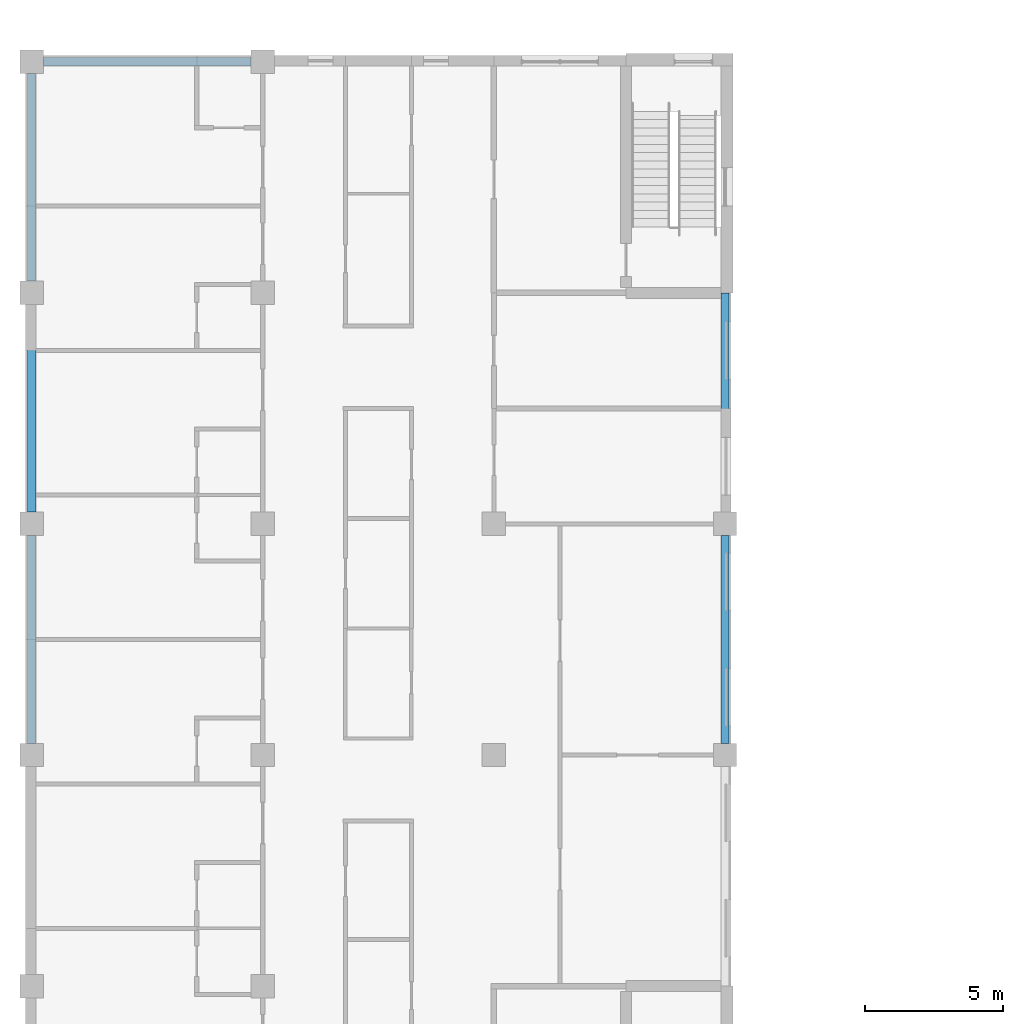
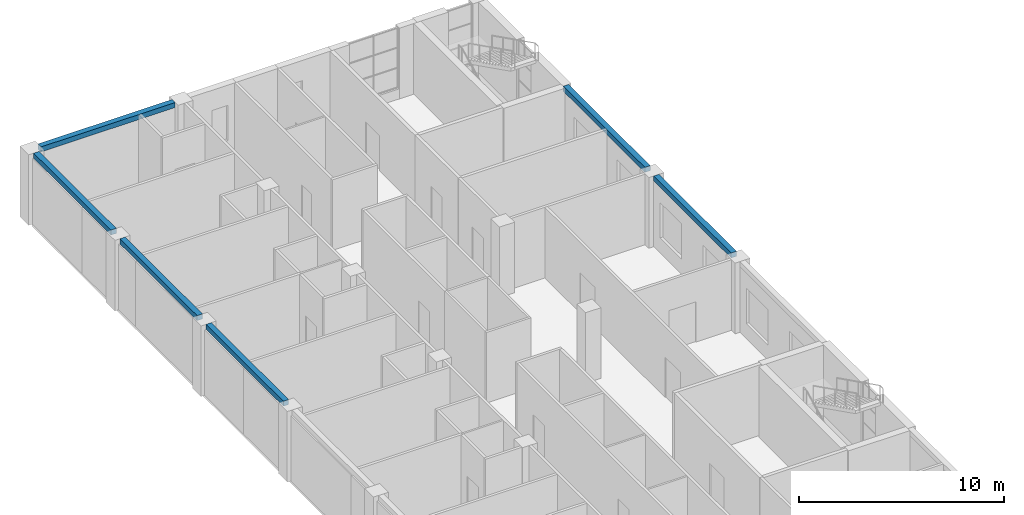
# One storey, part 17 of 66: 6 beams.
"""IFC4 building model written with IfcOpenShell, lengths in metres."""

from ifc_helpers import new_model, si_unit, direction, frame, origin, origin_2d, place, context, subcontext, project, spatial, rectangle, extrude, material, material_profile, profile_set, type_object, element, save


model = new_model("IFC4")

# Units and contexts
model_context = context("Model", 3, precision=1e-05, world=origin(), true_north=direction((0.0, 1.0)))
body_context = subcontext(model_context, "Body", "Model", "MODEL_VIEW")
ifc_project = project(units=[si_unit("LENGTHUNIT", "METRE"), si_unit("AREAUNIT", "SQUARE_METRE"), si_unit("VOLUMEUNIT", "CUBIC_METRE"), si_unit("PLANEANGLEUNIT", "RADIAN"), si_unit("MASSUNIT", "GRAM", prefix="KILO")], contexts=[model_context])

# Site, building, storey
site_placement = place(None, origin())
site = spatial("IfcSite", under=ifc_project, at=site_placement, CompositionType="ELEMENT")
building_placement = place(site_placement, origin())
building = spatial("IfcBuilding", under=site, at=building_placement, Name="Yavir Park General Hospital", CompositionType="ELEMENT")
storey_placement = place(building_placement, frame((0.0, 0.0, 8.39990234375)))
storey = spatial("IfcBuildingStorey", under=building, at=storey_placement, Name="L02", CompositionType="ELEMENT", Elevation=8.39990234375)

# Beams
ifc_material = material(Name="Concrete C35/45", Category="concrete")
ifc_material_profile = material_profile(ifc_material, rectangle(XDim=0.300048828125, YDim=0.300048828125, at=origin_2d()), Name="RC300x300")
ifc_profile_set = profile_set([ifc_material_profile], Name="Concrete C35/45")
beam_type = type_object("IfcBeamType", Name="RC BEAM 300x300 edge beam", PredefinedType="BEAM", material=ifc_profile_set)
for number, where, z_axis, x_axis, name in (
    (1, (0.425048828125, 117.60009765625, 4.050048828125), (1.0, 0.0, 0.0), (0.0, 1.0, 0.0), "B:EDGE:L02:032"),
    (2, (0.0, 92.824951171875, 4.050048828125), (0.0, 1.0, 0.0), (-1.0, 0.0, 0.0), "B:EDGE:L02:042"),
):
    element("IfcBeam", number, at=place(storey_placement, frame(where, z_axis=z_axis, x_axis=x_axis)), inside=storey, type_object=beam_type, Name=name, PredefinedType="BEAM", context=body_context, shape_type="SweptSolid", body=[
        extrude(rectangle(XDim=0.300048828125, YDim=0.300048828125, at=origin_2d()), origin(), (0.0, 0.0, 1.0), 7.550048828125),
    ])
beam_1_placement = place(storey_placement, frame((0.0, 101.22509765625, 4.050048828125), z_axis=(0.0, 1.0, 0.0), x_axis=(-1.0, 0.0, 0.0)))
element("IfcBeam", 3, at=beam_1_placement, inside=storey, type_object=beam_type, Name="B:EDGE:L02:043", PredefinedType="BEAM", context=body_context, shape_type="SweptSolid", body=[
    extrude(rectangle(XDim=0.300048828125, YDim=0.300048828125, at=origin_2d()), origin(), (0.0, 0.0, 1.0), 7.5498046875),
])
for number, where, z_axis, x_axis, name in (
    (4, (0.0, 109.625, 4.050048828125), (0.0, 1.0, 0.0), (-1.0, 0.0, 0.0), "B:EDGE:L02:044"),
    (5, (25.199951171875, 92.824951171875, 4.050048828125), (0.0, 1.0, 0.0), (-1.0, 0.0, 0.0), "B:EDGE:L02:050"),
):
    element("IfcBeam", number, at=place(storey_placement, frame(where, z_axis=z_axis, x_axis=x_axis)), inside=storey, type_object=beam_type, Name=name, PredefinedType="BEAM", context=body_context, shape_type="SweptSolid", body=[
        extrude(rectangle(XDim=0.300048828125, YDim=0.300048828125, at=origin_2d()), origin(), (0.0, 0.0, 1.0), 7.550048828125),
    ])
beam_2_placement = place(storey_placement, frame((25.199951171875, 101.22509765625, 4.050048828125), z_axis=(0.0, 1.0, 0.0), x_axis=(-1.0, 0.0, 0.0)))
element("IfcBeam", 6, at=beam_2_placement, inside=storey, type_object=beam_type, Name="B:EDGE:L02:051", PredefinedType="BEAM", context=body_context, shape_type="SweptSolid", body=[
    extrude(rectangle(XDim=0.300048828125, YDim=0.300048828125, at=origin_2d()), origin(), (0.0, 0.0, 1.0), 7.974853515625),
])

save(model, "model.ifc")
